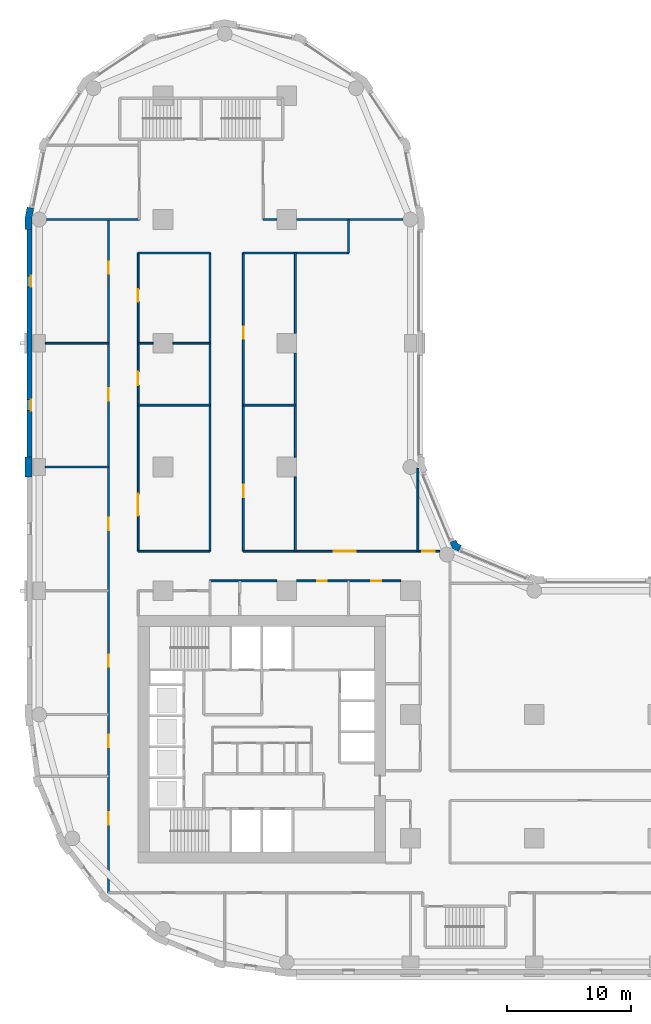
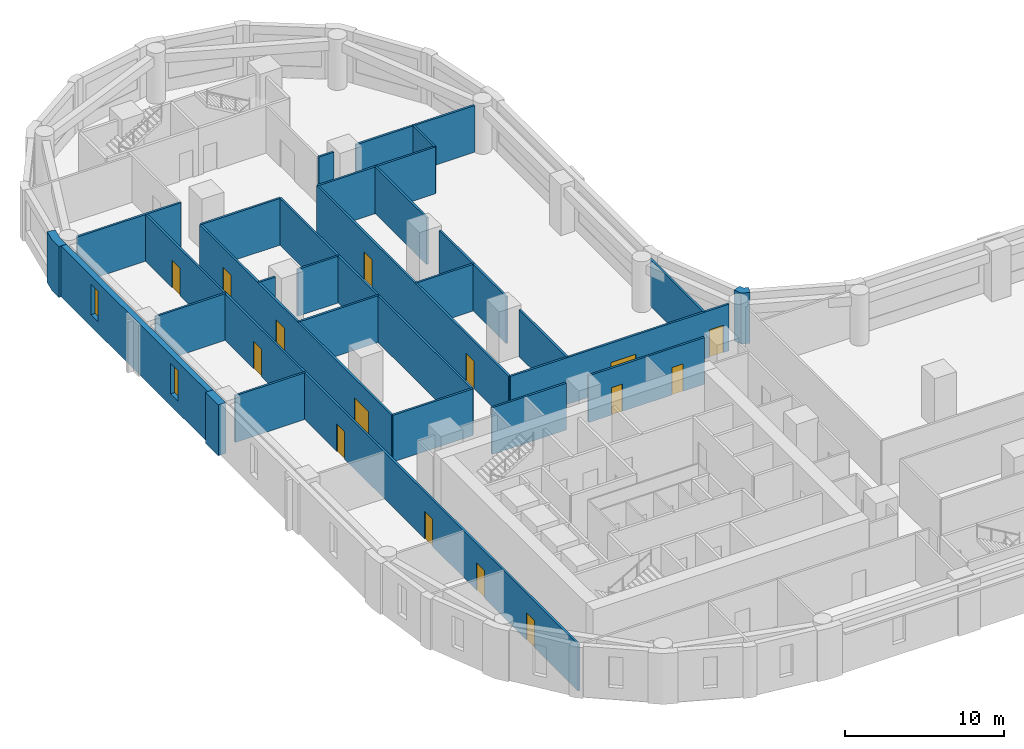
# One storey, part 5 of 10: 28 walls, 15 doors, 2 windows, 17 openings.
"""IFC4 building model written with IfcOpenShell, lengths in metres."""

from ifc_helpers import new_model, si_unit, direction, frame, frame_2d, origin, place, context, subcontext, project, spatial, polyline, rectangle, outline, extrude, material, layer, layer_set, type_object, element, fill, save


model = new_model("IFC4")

# Units and contexts
model_context = context("Model", 3, precision=1e-05, world=origin(), true_north=direction((0.0, 1.0)))
body_context = subcontext(model_context, "Body", "Model", "MODEL_VIEW")
ifc_project = project(units=[si_unit("LENGTHUNIT", "METRE"), si_unit("AREAUNIT", "SQUARE_METRE"), si_unit("VOLUMEUNIT", "CUBIC_METRE"), si_unit("PLANEANGLEUNIT", "RADIAN"), si_unit("MASSUNIT", "GRAM", prefix="KILO")], contexts=[model_context])

# Site, building, storey
site_placement = place(None, origin())
site = spatial("IfcSite", under=ifc_project, at=site_placement, CompositionType="ELEMENT")
building_placement = place(site_placement, origin())
building = spatial("IfcBuilding", under=site, at=building_placement, Name="Qaws Garden Tower", CompositionType="ELEMENT")
storey_placement = place(building_placement, frame((0.0, 0.0, 93.89990234375)))
storey = spatial("IfcBuildingStorey", under=building, at=storey_placement, Name="L23", CompositionType="ELEMENT", Elevation=93.89990234375)

# Wall, openings, windows
ifc_material_1 = material(Name="Clay facing brick masonry", Category="masonry")
ifc_layer_1 = layer(ifc_material_1, 0.39990234375)
ifc_layer_set_1 = layer_set([ifc_layer_1], Name="Clay facing brick masonry")
wall_type_1 = type_object("IfcWallType", Name="Brick infill wall 400", PredefinedType="SOLIDWALL", material=ifc_layer_set_1)
wall_1_placement = place(storey_placement, frame((-0.800048828125, 59.199951171875, 0.0), z_axis=(0.0, 0.0, 1.0), x_axis=(0.0, -1.0, 0.0)))
wall_1 = element("IfcWall", 1, at=wall_1_placement, inside=storey, type_object=wall_type_1, Name="E-L23-infill-23", PredefinedType="SOLIDWALL", context=body_context, shape_type="SweptSolid", body=[
    extrude(rectangle(XDim=18.39990234375, YDim=0.39990234375, at=frame_2d((9.199951171875, 0.0))), origin(), (0.0, 0.0, 1.0), 3.900146484375),
])
opening_1_placement = place(wall_1_placement, frame((3.75, 0.0, 0.89990234375)))
opening_1 = element("IfcOpeningElement", 2, at=opening_1_placement, cuts=wall_1, Name="Opening W09", PredefinedType="OPENING", context=body_context, shape_type="SweptSolid", body=[
    extrude(rectangle(XDim=0.89990234375, YDim=2.35009765625, at=frame_2d((0.449951171875, 1.175048828125))), frame((0.0, 0.2099609375, 0.0), z_axis=(0.0, -1.0, 0.0), x_axis=(1.0, 0.0, 0.0)), (0.0, 0.0, 1.0), 0.419921875),
])
opening_2_placement = place(wall_1_placement, frame((13.75, 0.0, 0.89990234375)))
opening_2 = element("IfcOpeningElement", 3, at=opening_2_placement, cuts=wall_1, Name="Opening W09", PredefinedType="OPENING", context=body_context, shape_type="SweptSolid", body=[
    extrude(rectangle(XDim=0.89990234375, YDim=2.35009765625, at=frame_2d((0.449951171875, 1.175048828125))), frame((0.0, 0.2099609375, 0.0), z_axis=(0.0, -1.0, 0.0), x_axis=(1.0, 0.0, 0.0)), (0.0, 0.0, 1.0), 0.419921875),
])
ifc_material_2 = material(Name="Aluminium framed window, clear glazing", Category="aluminium")
window_type = type_object("IfcWindowType", Name="Slit window 900 x 2350", PartitioningType="SINGLE_PANEL", PredefinedType="WINDOW", material=ifc_material_2)
window_1_placement = place(opening_1_placement, origin())
window_1 = element("IfcWindow", 4, at=window_1_placement, inside=storey, type_object=window_type, Name="E-L23-window-23-0", OverallHeight=2.35009765625, OverallWidth=0.89990234375, PartitioningType="SINGLE_PANEL", PredefinedType="WINDOW", context=body_context, shape_type="SweptSolid", body=[
    extrude(rectangle(XDim=0.89990234375, YDim=2.35009765625, at=frame_2d((0.449951171875, 1.175048828125))), frame((0.0, 0.159912109375, 0.0), z_axis=(0.0, -1.0, 0.0), x_axis=(1.0, 0.0, 0.0)), (0.0, 0.0, 1.0), 0.06005859375),
])
fill(opening_1, window_1)
window_2_placement = place(opening_2_placement, origin())
window_2 = element("IfcWindow", 5, at=window_2_placement, inside=storey, type_object=window_type, Name="E-L23-window-24-0", OverallHeight=2.35009765625, OverallWidth=0.89990234375, PartitioningType="SINGLE_PANEL", PredefinedType="WINDOW", context=body_context, shape_type="SweptSolid", body=[
    extrude(rectangle(XDim=0.89990234375, YDim=2.35009765625, at=frame_2d((0.449951171875, 1.175048828125))), frame((0.0, 0.159912109375, 0.0), z_axis=(0.0, -1.0, 0.0), x_axis=(1.0, 0.0, 0.0)), (0.0, 0.0, 1.0), 0.06005859375),
])
fill(opening_2, window_2)

# Walls
ifc_material_3 = material(Name="Clay facing brick masonry", Category="masonry")
ifc_layer_2 = layer(ifc_material_3, 0.550048828125)
ifc_layer_set_2 = layer_set([ifc_layer_2], Name="Clay facing brick masonry")
wall_type_2 = type_object("IfcWallType", Name="Brick pier 550 x 1600", PredefinedType="SOLIDWALL", material=ifc_layer_set_2)
placement = place(storey_placement, origin())
element("IfcWall", 6, at=placement, inside=storey, type_object=wall_type_2, Name="E-L23-pier-12", PredefinedType="SOLIDWALL", context=body_context, shape_type="SweptSolid", body=[
    extrude(outline(polyline([(34.05078125, 33.546630859375), (34.108154296875, 33.685302734375), (33.80908203125, 33.80908203125), (33.685302734375, 34.108154296875), (33.546630859375, 34.05078125), (33.177001953125, 33.897705078125), (33.38818359375, 33.38818359375), (33.897705078125, 33.177001953125), (34.05078125, 33.546630859375)])), origin(), (0.0, 0.0, 1.0), 3.900146484375),
])
element("IfcWall", 7, at=placement, inside=storey, type_object=wall_type_2, Name="E-L23-pier-23", PredefinedType="SOLIDWALL", context=body_context, shape_type="SweptSolid", body=[
    extrude(outline(polyline([(-0.82470703125, 60.979736328125), (-0.971923828125, 61.009033203125), (-1.14990234375, 60.11328125), (-1.14990234375, 59.199951171875), (-1.0, 59.199951171875), (-0.60009765625, 59.199951171875), (-0.60009765625, 60.05908203125), (-0.432373046875, 60.901611328125), (-0.82470703125, 60.979736328125)])), origin(), (0.0, 0.0, 1.0), 3.900146484375),
])
element("IfcWall", 8, at=placement, inside=storey, type_object=wall_type_2, Name="E-L23-pier-25", PredefinedType="SOLIDWALL", context=body_context, shape_type="SweptSolid", body=[
    extrude(outline(polyline([(-1.0, 40.800048828125), (-1.14990234375, 40.800048828125), (-1.14990234375, 40.0), (-1.14990234375, 39.199951171875), (-1.0, 39.199951171875), (-0.60009765625, 39.199951171875), (-0.60009765625, 40.0), (-0.60009765625, 40.800048828125), (-1.0, 40.800048828125)])), origin(), (0.0, 0.0, 1.0), 3.900146484375),
])

# Wall, openings, doors
ifc_material_4 = material(Name="Gypsum board partition")
ifc_layer_3 = layer(ifc_material_4, 0.14990234375)
ifc_layer_set_3 = layer_set([ifc_layer_3], Name="Gypsum board partition")
wall_type_3 = type_object("IfcWallType", Name="PARTITION 150 EI 60", PredefinedType="PARTITIONING", material=ifc_layer_set_3)
wall_5_placement = place(storey_placement, frame((5.60009765625, 5.60009765625, 0.0), z_axis=(0.0, 0.0, 1.0), x_axis=(0.0, 1.0, 0.0)))
wall_5 = element("IfcWall", 9, at=wall_5_placement, inside=storey, type_object=wall_type_3, Name="O-L23-wall-001", PredefinedType="PARTITIONING", context=body_context, shape_type="SweptSolid", body=[
    extrude(rectangle(XDim=54.39990234375, YDim=0.14990234375, at=frame_2d((27.199951171875, 0.0))), origin(), (0.0, 0.0, 1.0), 3.580078125),
])
opening_3_placement = place(wall_5_placement, frame((5.5, 0.0, 0.0)))
opening_3 = element("IfcOpeningElement", 10, at=opening_3_placement, cuts=wall_5, Name="Opening A801", PredefinedType="OPENING", context=body_context, shape_type="SweptSolid", body=[
    extrude(rectangle(XDim=1.0, YDim=2.10009765625, at=frame_2d((0.5, 1.050048828125))), frame((0.0, 0.0849609375, 0.0), z_axis=(0.0, -1.0, 0.0), x_axis=(1.0, 0.0, 0.0)), (0.0, 0.0, 1.0), 0.169921875),
])
opening_4_placement = place(wall_5_placement, frame((11.75, 0.0, 0.0)))
opening_4 = element("IfcOpeningElement", 11, at=opening_4_placement, cuts=wall_5, Name="Opening A802", PredefinedType="OPENING", context=body_context, shape_type="SweptSolid", body=[
    extrude(rectangle(XDim=1.0, YDim=2.10009765625, at=frame_2d((0.5, 1.050048828125))), frame((0.0, 0.0849609375, 0.0), z_axis=(0.0, -1.0, 0.0), x_axis=(1.0, 0.0, 0.0)), (0.0, 0.0, 1.0), 0.169921875),
])
opening_5_placement = place(wall_5_placement, frame((18.25, 0.0, 0.0)))
opening_5 = element("IfcOpeningElement", 12, at=opening_5_placement, cuts=wall_5, Name="Opening A813", PredefinedType="OPENING", context=body_context, shape_type="SweptSolid", body=[
    extrude(rectangle(XDim=1.0, YDim=2.10009765625, at=frame_2d((0.5, 1.050048828125))), frame((0.0, 0.0849609375, 0.0), z_axis=(0.0, -1.0, 0.0), x_axis=(1.0, 0.0, 0.0)), (0.0, 0.0, 1.0), 0.169921875),
])
opening_6_placement = place(wall_5_placement, frame((29.300048828125, 0.0, 0.0)))
opening_6 = element("IfcOpeningElement", 13, at=opening_6_placement, cuts=wall_5, Name="Opening A823", PredefinedType="OPENING", context=body_context, shape_type="SweptSolid", body=[
    extrude(rectangle(XDim=1.0, YDim=2.10009765625, at=frame_2d((0.5, 1.050048828125))), frame((0.0, 0.0849609375, 0.0), z_axis=(0.0, -1.0, 0.0), x_axis=(1.0, 0.0, 0.0)), (0.0, 0.0, 1.0), 0.169921875),
])
opening_7_placement = place(wall_5_placement, frame((39.75, 0.0, 0.0)))
opening_7 = element("IfcOpeningElement", 14, at=opening_7_placement, cuts=wall_5, Name="Opening A824", PredefinedType="OPENING", context=body_context, shape_type="SweptSolid", body=[
    extrude(rectangle(XDim=1.0, YDim=2.10009765625, at=frame_2d((0.5, 1.050048828125))), frame((0.0, 0.0849609375, 0.0), z_axis=(0.0, -1.0, 0.0), x_axis=(1.0, 0.0, 0.0)), (0.0, 0.0, 1.0), 0.169921875),
])
opening_8_placement = place(wall_5_placement, frame((50.0, 0.0, 0.0)))
opening_8 = element("IfcOpeningElement", 15, at=opening_8_placement, cuts=wall_5, Name="Opening A825", PredefinedType="OPENING", context=body_context, shape_type="SweptSolid", body=[
    extrude(rectangle(XDim=1.0, YDim=2.10009765625, at=frame_2d((0.5, 1.050048828125))), frame((0.0, 0.0849609375, 0.0), z_axis=(0.0, -1.0, 0.0), x_axis=(1.0, 0.0, 0.0)), (0.0, 0.0, 1.0), 0.169921875),
])
ifc_material_5 = material(Name="Timber door leaf", Category="wood")
door_type_1 = type_object("IfcDoorType", Name="TENANCY ENTRANCE DOOR 1000 X 2100", OperationType="SINGLE_SWING_LEFT", PredefinedType="DOOR", material=ifc_material_5)
door_1_placement = place(opening_3_placement, origin())
door_1 = element("IfcDoor", 16, at=door_1_placement, inside=storey, type_object=door_type_1, Name="O-L23-door-001", OperationType="SINGLE_SWING_RIGHT", OverallHeight=2.10009765625, OverallWidth=1.0, PredefinedType="DOOR", context=body_context, shape_type="SweptSolid", body=[
    extrude(rectangle(XDim=1.0, YDim=2.10009765625, at=frame_2d((0.5, 1.050048828125))), frame((0.0, 0.02490234375, 0.0), z_axis=(0.0, -1.0, 0.0), x_axis=(1.0, 0.0, 0.0)), (0.0, 0.0, 1.0), 0.050048828125),
])
fill(opening_3, door_1)
door_2_placement = place(opening_4_placement, origin())
door_2 = element("IfcDoor", 17, at=door_2_placement, inside=storey, type_object=door_type_1, Name="O-L23-door-002", OperationType="SINGLE_SWING_RIGHT", OverallHeight=2.10009765625, OverallWidth=1.0, PredefinedType="DOOR", context=body_context, shape_type="SweptSolid", body=[
    extrude(rectangle(XDim=1.0, YDim=2.10009765625, at=frame_2d((0.5, 1.050048828125))), frame((0.0, 0.02490234375, 0.0), z_axis=(0.0, -1.0, 0.0), x_axis=(1.0, 0.0, 0.0)), (0.0, 0.0, 1.0), 0.050048828125),
])
fill(opening_4, door_2)
door_3_placement = place(opening_5_placement, origin())
door_3 = element("IfcDoor", 18, at=door_3_placement, inside=storey, type_object=door_type_1, Name="O-L23-door-013", OperationType="SINGLE_SWING_RIGHT", OverallHeight=2.10009765625, OverallWidth=1.0, PredefinedType="DOOR", context=body_context, shape_type="SweptSolid", body=[
    extrude(rectangle(XDim=1.0, YDim=2.10009765625, at=frame_2d((0.5, 1.050048828125))), frame((0.0, 0.02490234375, 0.0), z_axis=(0.0, -1.0, 0.0), x_axis=(1.0, 0.0, 0.0)), (0.0, 0.0, 1.0), 0.050048828125),
])
fill(opening_5, door_3)
door_4_placement = place(opening_6_placement, origin())
door_4 = element("IfcDoor", 19, at=door_4_placement, inside=storey, type_object=door_type_1, Name="O-L23-door-023", OperationType="SINGLE_SWING_LEFT", OverallHeight=2.10009765625, OverallWidth=1.0, PredefinedType="DOOR", context=body_context, shape_type="SweptSolid", body=[
    extrude(rectangle(XDim=1.0, YDim=2.10009765625, at=frame_2d((0.5, 1.050048828125))), frame((0.0, 0.02490234375, 0.0), z_axis=(0.0, -1.0, 0.0), x_axis=(1.0, 0.0, 0.0)), (0.0, 0.0, 1.0), 0.050048828125),
])
fill(opening_6, door_4)
door_5_placement = place(opening_7_placement, origin())
door_5 = element("IfcDoor", 20, at=door_5_placement, inside=storey, type_object=door_type_1, Name="O-L23-door-024", OperationType="SINGLE_SWING_LEFT", OverallHeight=2.10009765625, OverallWidth=1.0, PredefinedType="DOOR", context=body_context, shape_type="SweptSolid", body=[
    extrude(rectangle(XDim=1.0, YDim=2.10009765625, at=frame_2d((0.5, 1.050048828125))), frame((0.0, 0.02490234375, 0.0), z_axis=(0.0, -1.0, 0.0), x_axis=(1.0, 0.0, 0.0)), (0.0, 0.0, 1.0), 0.050048828125),
])
fill(opening_7, door_5)
door_6_placement = place(opening_8_placement, origin())
door_6 = element("IfcDoor", 21, at=door_6_placement, inside=storey, type_object=door_type_1, Name="O-L23-door-025", OperationType="SINGLE_SWING_LEFT", OverallHeight=2.10009765625, OverallWidth=1.0, PredefinedType="DOOR", context=body_context, shape_type="SweptSolid", body=[
    extrude(rectangle(XDim=1.0, YDim=2.10009765625, at=frame_2d((0.5, 1.050048828125))), frame((0.0, 0.02490234375, 0.0), z_axis=(0.0, -1.0, 0.0), x_axis=(1.0, 0.0, 0.0)), (0.0, 0.0, 1.0), 0.050048828125),
])
fill(opening_8, door_6)

wall_6_placement = place(storey_placement, frame((8.0, 33.199951171875, 0.0), z_axis=(0.0, 0.0, 1.0), x_axis=(0.0, 1.0, 0.0)))
wall_6 = element("IfcWall", 22, at=wall_6_placement, inside=storey, type_object=wall_type_3, Name="O-L23-wall-003", PredefinedType="PARTITIONING", context=body_context, shape_type="SweptSolid", body=[
    extrude(rectangle(XDim=24.10009765625, YDim=0.14990234375, at=frame_2d((12.050048828125, 0.0))), origin(), (0.0, 0.0, 1.0), 3.580078125),
])
opening_9_placement = place(wall_6_placement, frame((2.85009765625, 0.0, 0.0)))
opening_9 = element("IfcOpeningElement", 23, at=opening_9_placement, cuts=wall_6, Name="Opening A814", PredefinedType="OPENING", context=body_context, shape_type="SweptSolid", body=[
    extrude(rectangle(XDim=1.800048828125, YDim=2.10009765625, at=frame_2d((0.89990234375, 1.050048828125))), frame((0.0, 0.0849609375, 0.0), z_axis=(0.0, -1.0, 0.0), x_axis=(1.0, 0.0, 0.0)), (0.0, 0.0, 1.0), 0.169921875),
])
opening_10_placement = place(wall_6_placement, frame((13.39990234375, 0.0, 0.0)))
opening_10 = element("IfcOpeningElement", 24, at=opening_10_placement, cuts=wall_6, Name="Opening A815", PredefinedType="OPENING", context=body_context, shape_type="SweptSolid", body=[
    extrude(rectangle(XDim=1.10009765625, YDim=2.10009765625, at=frame_2d((0.550048828125, 1.050048828125))), frame((0.0, 0.0849609375, 0.0), z_axis=(0.0, -1.0, 0.0), x_axis=(1.0, 0.0, 0.0)), (0.0, 0.0, 1.0), 0.169921875),
])
opening_11_placement = place(wall_6_placement, frame((20.14990234375, 0.0, 0.0)))
opening_11 = element("IfcOpeningElement", 25, at=opening_11_placement, cuts=wall_6, Name="Opening A816", PredefinedType="OPENING", context=body_context, shape_type="SweptSolid", body=[
    extrude(rectangle(XDim=1.0, YDim=2.10009765625, at=frame_2d((0.5, 1.050048828125))), frame((0.0, 0.0849609375, 0.0), z_axis=(0.0, -1.0, 0.0), x_axis=(1.0, 0.0, 0.0)), (0.0, 0.0, 1.0), 0.169921875),
])
ifc_material_6 = material(Name="Timber door leaf", Category="wood")
door_type_2 = type_object("IfcDoorType", Name="DOUBLE DOOR 1800 X 2100", OperationType="DOUBLE_DOOR_SINGLE_SWING", PredefinedType="DOOR", material=ifc_material_6)
door_7_placement = place(opening_9_placement, frame((1.800048828125, 0.0, 0.0), z_axis=(0.0, 0.0, 1.0), x_axis=(-1.0, 0.0, 0.0)))
door_7 = element("IfcDoor", 26, at=door_7_placement, inside=storey, type_object=door_type_2, Name="O-L23-door-014", OperationType="DOUBLE_DOOR_SINGLE_SWING", OverallHeight=2.10009765625, OverallWidth=1.800048828125, PredefinedType="DOOR", context=body_context, shape_type="SweptSolid", body=[
    extrude(rectangle(XDim=1.800048828125, YDim=2.10009765625, at=frame_2d((0.89990234375, 1.050048828125))), frame((0.0, 0.02490234375, 0.0), z_axis=(0.0, -1.0, 0.0), x_axis=(1.0, 0.0, 0.0)), (0.0, 0.0, 1.0), 0.050048828125),
])
fill(opening_9, door_7)
ifc_material_7 = material(Name="Timber door leaf", Category="wood")
door_type_3 = type_object("IfcDoorType", Name="SERVICE ROOM DOOR 1100 X 2100", OperationType="SINGLE_SWING_LEFT", PredefinedType="DOOR", material=ifc_material_7)
door_8_placement = place(opening_10_placement, frame((1.10009765625, 0.0, 0.0), z_axis=(0.0, 0.0, 1.0), x_axis=(-1.0, 0.0, 0.0)))
door_8 = element("IfcDoor", 27, at=door_8_placement, inside=storey, type_object=door_type_3, Name="O-L23-door-015", OperationType="SINGLE_SWING_RIGHT", OverallHeight=2.10009765625, OverallWidth=1.10009765625, PredefinedType="DOOR", context=body_context, shape_type="SweptSolid", body=[
    extrude(rectangle(XDim=1.10009765625, YDim=2.10009765625, at=frame_2d((0.550048828125, 1.050048828125))), frame((0.0, 0.02490234375, 0.0), z_axis=(0.0, -1.0, 0.0), x_axis=(1.0, 0.0, 0.0)), (0.0, 0.0, 1.0), 0.050048828125),
])
fill(opening_10, door_8)
door_9_placement = place(opening_11_placement, frame((1.0, 0.0, 0.0), z_axis=(0.0, 0.0, 1.0), x_axis=(-1.0, 0.0, 0.0)))
door_9 = element("IfcDoor", 28, at=door_9_placement, inside=storey, type_object=door_type_1, Name="O-L23-door-016", OperationType="SINGLE_SWING_RIGHT", OverallHeight=2.10009765625, OverallWidth=1.0, PredefinedType="DOOR", context=body_context, shape_type="SweptSolid", body=[
    extrude(rectangle(XDim=1.0, YDim=2.10009765625, at=frame_2d((0.5, 1.050048828125))), frame((0.0, 0.02490234375, 0.0), z_axis=(0.0, -1.0, 0.0), x_axis=(1.0, 0.0, 0.0)), (0.0, 0.0, 1.0), 0.050048828125),
])
fill(opening_11, door_9)

# Wall
wall_7_placement = place(storey_placement, frame((13.800048828125, 33.199951171875, 0.0), z_axis=(0.0, 0.0, 1.0), x_axis=(0.0, 1.0, 0.0)))
element("IfcWall", 29, at=wall_7_placement, inside=storey, type_object=wall_type_3, Name="O-L23-wall-006", PredefinedType="PARTITIONING", context=body_context, shape_type="SweptSolid", body=[
    extrude(rectangle(XDim=24.10009765625, YDim=0.14990234375, at=frame_2d((12.050048828125, 0.0))), origin(), (0.0, 0.0, 1.0), 3.580078125),
])

# Wall, openings, doors
wall_8_placement = place(storey_placement, frame((16.5, 33.199951171875, 0.0), z_axis=(0.0, 0.0, 1.0), x_axis=(0.0, 1.0, 0.0)))
wall_8 = element("IfcWall", 30, at=wall_8_placement, inside=storey, type_object=wall_type_3, Name="O-L23-wall-008", PredefinedType="PARTITIONING", context=body_context, shape_type="SweptSolid", body=[
    extrude(rectangle(XDim=24.10009765625, YDim=0.14990234375, at=frame_2d((12.050048828125, 0.0))), origin(), (0.0, 0.0, 1.0), 3.580078125),
])
opening_12_placement = place(wall_8_placement, frame((4.35009765625, 0.0, 0.0)))
opening_12 = element("IfcOpeningElement", 31, at=opening_12_placement, cuts=wall_8, Name="Opening A817", PredefinedType="OPENING", context=body_context, shape_type="SweptSolid", body=[
    extrude(rectangle(XDim=1.0, YDim=2.10009765625, at=frame_2d((0.5, 1.050048828125))), frame((0.0, 0.0849609375, 0.0), z_axis=(0.0, -1.0, 0.0), x_axis=(1.0, 0.0, 0.0)), (0.0, 0.0, 1.0), 0.169921875),
])
opening_13_placement = place(wall_8_placement, frame((17.14990234375, 0.0, 0.0)))
opening_13 = element("IfcOpeningElement", 32, at=opening_13_placement, cuts=wall_8, Name="Opening A818", PredefinedType="OPENING", context=body_context, shape_type="SweptSolid", body=[
    extrude(rectangle(XDim=1.0, YDim=2.10009765625, at=frame_2d((0.5, 1.050048828125))), frame((0.0, 0.0849609375, 0.0), z_axis=(0.0, -1.0, 0.0), x_axis=(1.0, 0.0, 0.0)), (0.0, 0.0, 1.0), 0.169921875),
])
door_10_placement = place(opening_12_placement, frame((1.0, 0.0, 0.0), z_axis=(0.0, 0.0, 1.0), x_axis=(-1.0, 0.0, 0.0)))
door_10 = element("IfcDoor", 33, at=door_10_placement, inside=storey, type_object=door_type_1, Name="O-L23-door-017", OperationType="SINGLE_SWING_RIGHT", OverallHeight=2.10009765625, OverallWidth=1.0, PredefinedType="DOOR", context=body_context, shape_type="SweptSolid", body=[
    extrude(rectangle(XDim=1.0, YDim=2.10009765625, at=frame_2d((0.5, 1.050048828125))), frame((0.0, 0.02490234375, 0.0), z_axis=(0.0, -1.0, 0.0), x_axis=(1.0, 0.0, 0.0)), (0.0, 0.0, 1.0), 0.050048828125),
])
fill(opening_12, door_10)
door_11_placement = place(opening_13_placement, frame((1.0, 0.0, 0.0), z_axis=(0.0, 0.0, 1.0), x_axis=(-1.0, 0.0, 0.0)))
door_11 = element("IfcDoor", 34, at=door_11_placement, inside=storey, type_object=door_type_1, Name="O-L23-door-018", OperationType="SINGLE_SWING_RIGHT", OverallHeight=2.10009765625, OverallWidth=1.0, PredefinedType="DOOR", context=body_context, shape_type="SweptSolid", body=[
    extrude(rectangle(XDim=1.0, YDim=2.10009765625, at=frame_2d((0.5, 1.050048828125))), frame((0.0, 0.02490234375, 0.0), z_axis=(0.0, -1.0, 0.0), x_axis=(1.0, 0.0, 0.0)), (0.0, 0.0, 1.0), 0.050048828125),
])
fill(opening_13, door_11)

# Walls
wall_9_placement = place(storey_placement, frame((20.699951171875, 33.199951171875, 0.0), z_axis=(0.0, 0.0, 1.0), x_axis=(0.0, 1.0, 0.0)))
element("IfcWall", 35, at=wall_9_placement, inside=storey, type_object=wall_type_3, Name="O-L23-wall-011", PredefinedType="PARTITIONING", context=body_context, shape_type="SweptSolid", body=[
    extrude(rectangle(XDim=6.0, YDim=0.14990234375, at=frame_2d((3.0, 0.0))), origin(), (0.0, 0.0, 1.0), 3.580078125),
])
wall_10_placement = place(storey_placement, frame((20.699951171875, 40.800048828125, 0.0), z_axis=(0.0, 0.0, 1.0), x_axis=(0.0, 1.0, 0.0)))
element("IfcWall", 36, at=wall_10_placement, inside=storey, type_object=wall_type_3, Name="O-L23-wall-012", PredefinedType="PARTITIONING", context=body_context, shape_type="SweptSolid", body=[
    extrude(rectangle(XDim=8.39990234375, YDim=0.14990234375, at=frame_2d((4.199951171875, 0.0))), origin(), (0.0, 0.0, 1.0), 3.580078125),
])
wall_11_placement = place(storey_placement, frame((20.699951171875, 50.800048828125, 0.0), z_axis=(0.0, 0.0, 1.0), x_axis=(0.0, 1.0, 0.0)))
element("IfcWall", 37, at=wall_11_placement, inside=storey, type_object=wall_type_3, Name="O-L23-wall-013", PredefinedType="PARTITIONING", context=body_context, shape_type="SweptSolid", body=[
    extrude(rectangle(XDim=6.5, YDim=0.14990234375, at=frame_2d((3.25, 0.0))), origin(), (0.0, 0.0, 1.0), 3.580078125),
])
wall_12_placement = place(storey_placement, frame((25.0, 57.300048828125, 0.0), z_axis=(0.0, 0.0, 1.0), x_axis=(0.0, 1.0, 0.0)))
element("IfcWall", 38, at=wall_12_placement, inside=storey, type_object=wall_type_3, Name="O-L23-wall-015", PredefinedType="PARTITIONING", context=body_context, shape_type="SweptSolid", body=[
    extrude(rectangle(XDim=2.699951171875, YDim=0.14990234375, at=frame_2d((1.35009765625, 0.0))), origin(), (0.0, 0.0, 1.0), 3.580078125),
])
wall_13_placement = place(storey_placement, frame((30.60009765625, 33.199951171875, 0.0), z_axis=(0.0, 0.0, 1.0), x_axis=(0.0, 1.0, 0.0)))
element("IfcWall", 39, at=wall_13_placement, inside=storey, type_object=wall_type_3, Name="O-L23-wall-019", PredefinedType="PARTITIONING", context=body_context, shape_type="SweptSolid", body=[
    extrude(rectangle(XDim=6.698974609375, YDim=0.14990234375, at=frame_2d((3.349609375, 0.0))), origin(), (0.0, 0.0, 1.0), 3.580078125),
])
wall_14_placement = place(storey_placement, frame((13.800048828125, 30.800048828125, 0.0), z_axis=(0.0, 0.0, 1.0), x_axis=(1.0, 0.0, 0.0)))
element("IfcWall", 40, at=wall_14_placement, inside=storey, type_object=wall_type_3, Name="O-L23-wall-047", PredefinedType="PARTITIONING", context=body_context, shape_type="SweptSolid", body=[
    extrude(rectangle(XDim=5.39990234375, YDim=0.14990234375, at=frame_2d((2.699951171875, 0.0))), origin(), (0.0, 0.0, 1.0), 3.580078125),
])

# Wall, openings, doors
wall_15_placement = place(storey_placement, frame((20.800048828125, 30.800048828125, 0.0), z_axis=(0.0, 0.0, 1.0), x_axis=(1.0, 0.0, 0.0)))
wall_15 = element("IfcWall", 41, at=wall_15_placement, inside=storey, type_object=wall_type_3, Name="O-L23-wall-048", PredefinedType="PARTITIONING", context=body_context, shape_type="SweptSolid", body=[
    extrude(rectangle(XDim=8.39990234375, YDim=0.14990234375, at=frame_2d((4.199951171875, 0.0))), origin(), (0.0, 0.0, 1.0), 3.580078125),
])
opening_14_placement = place(wall_15_placement, frame((1.64990234375, 0.0, 0.0)))
opening_14 = element("IfcOpeningElement", 42, at=opening_14_placement, cuts=wall_15, Name="Opening A811", PredefinedType="OPENING", context=body_context, shape_type="SweptSolid", body=[
    extrude(rectangle(XDim=0.800048828125, YDim=2.10009765625, at=frame_2d((0.39990234375, 1.050048828125))), frame((0.0, 0.0849609375, 0.0), z_axis=(0.0, -1.0, 0.0), x_axis=(1.0, 0.0, 0.0)), (0.0, 0.0, 1.0), 0.169921875),
])
opening_15_placement = place(wall_15_placement, frame((6.050048828125, 0.0, 0.0)))
opening_15 = element("IfcOpeningElement", 43, at=opening_15_placement, cuts=wall_15, Name="Opening A812", PredefinedType="OPENING", context=body_context, shape_type="SweptSolid", body=[
    extrude(rectangle(XDim=0.800048828125, YDim=2.10009765625, at=frame_2d((0.39990234375, 1.050048828125))), frame((0.0, 0.0849609375, 0.0), z_axis=(0.0, -1.0, 0.0), x_axis=(1.0, 0.0, 0.0)), (0.0, 0.0, 1.0), 0.169921875),
])
ifc_material_8 = material(Name="Timber door leaf", Category="wood")
door_type_4 = type_object("IfcDoorType", Name="STORE DOOR 800 X 2100", OperationType="SINGLE_SWING_LEFT", PredefinedType="DOOR", material=ifc_material_8)
door_12_placement = place(opening_14_placement, frame((0.800048828125, 0.0, 0.0), z_axis=(0.0, 0.0, 1.0), x_axis=(-1.0, 0.0, 0.0)))
door_12 = element("IfcDoor", 44, at=door_12_placement, inside=storey, type_object=door_type_4, Name="O-L23-door-011", OperationType="SINGLE_SWING_LEFT", OverallHeight=2.10009765625, OverallWidth=0.800048828125, PredefinedType="DOOR", context=body_context, shape_type="SweptSolid", body=[
    extrude(rectangle(XDim=0.800048828125, YDim=2.10009765625, at=frame_2d((0.39990234375, 1.050048828125))), frame((0.0, 0.02490234375, 0.0), z_axis=(0.0, -1.0, 0.0), x_axis=(1.0, 0.0, 0.0)), (0.0, 0.0, 1.0), 0.050048828125),
])
fill(opening_14, door_12)
door_13_placement = place(opening_15_placement, frame((0.800048828125, 0.0, 0.0), z_axis=(0.0, 0.0, 1.0), x_axis=(-1.0, 0.0, 0.0)))
door_13 = element("IfcDoor", 45, at=door_13_placement, inside=storey, type_object=door_type_4, Name="O-L23-door-012", OperationType="SINGLE_SWING_LEFT", OverallHeight=2.10009765625, OverallWidth=0.800048828125, PredefinedType="DOOR", context=body_context, shape_type="SweptSolid", body=[
    extrude(rectangle(XDim=0.800048828125, YDim=2.10009765625, at=frame_2d((0.39990234375, 1.050048828125))), frame((0.0, 0.02490234375, 0.0), z_axis=(0.0, -1.0, 0.0), x_axis=(1.0, 0.0, 0.0)), (0.0, 0.0, 1.0), 0.050048828125),
])
fill(opening_15, door_13)

# Wall
wall_16_placement = place(storey_placement, frame((8.0, 33.199951171875, 0.0), z_axis=(0.0, 0.0, 1.0), x_axis=(1.0, 0.0, 0.0)))
element("IfcWall", 46, at=wall_16_placement, inside=storey, type_object=wall_type_3, Name="O-L23-wall-049", PredefinedType="PARTITIONING", context=body_context, shape_type="SweptSolid", body=[
    extrude(rectangle(XDim=5.800048828125, YDim=0.14990234375, at=frame_2d((2.89990234375, 0.0))), origin(), (0.0, 0.0, 1.0), 3.580078125),
])

# Wall, openings, doors
wall_17_placement = place(storey_placement, frame((16.5, 33.199951171875, 0.0), z_axis=(0.0, 0.0, 1.0), x_axis=(1.0, 0.0, 0.0)))
wall_17 = element("IfcWall", 47, at=wall_17_placement, inside=storey, type_object=wall_type_3, Name="O-L23-wall-050", PredefinedType="PARTITIONING", context=body_context, shape_type="SweptSolid", body=[
    extrude(rectangle(XDim=15.862060546875, YDim=0.14990234375, at=frame_2d((7.93115234375, 0.0))), origin(), (0.0, 0.0, 1.0), 3.580078125),
])
opening_16_placement = place(wall_17_placement, frame((7.300048828125, 0.0, 0.0)))
opening_16 = element("IfcOpeningElement", 48, at=opening_16_placement, cuts=wall_17, Name="Opening A819", PredefinedType="OPENING", context=body_context, shape_type="SweptSolid", body=[
    extrude(rectangle(XDim=1.800048828125, YDim=2.10009765625, at=frame_2d((0.89990234375, 1.050048828125))), frame((0.0, 0.0849609375, 0.0), z_axis=(0.0, -1.0, 0.0), x_axis=(1.0, 0.0, 0.0)), (0.0, 0.0, 1.0), 0.169921875),
])
opening_17_placement = place(wall_17_placement, frame((14.449951171875, 0.0, 0.0)))
opening_17 = element("IfcOpeningElement", 49, at=opening_17_placement, cuts=wall_17, Name="Opening A822", PredefinedType="OPENING", context=body_context, shape_type="SweptSolid", body=[
    extrude(rectangle(XDim=1.0, YDim=2.10009765625, at=frame_2d((0.5, 1.050048828125))), frame((0.0, 0.0849609375, 0.0), z_axis=(0.0, -1.0, 0.0), x_axis=(1.0, 0.0, 0.0)), (0.0, 0.0, 1.0), 0.169921875),
])
door_14_placement = place(opening_16_placement, origin())
door_14 = element("IfcDoor", 50, at=door_14_placement, inside=storey, type_object=door_type_2, Name="O-L23-door-019", OperationType="DOUBLE_DOOR_SINGLE_SWING", OverallHeight=2.10009765625, OverallWidth=1.800048828125, PredefinedType="DOOR", context=body_context, shape_type="SweptSolid", body=[
    extrude(rectangle(XDim=1.800048828125, YDim=2.10009765625, at=frame_2d((0.89990234375, 1.050048828125))), frame((0.0, 0.02490234375, 0.0), z_axis=(0.0, -1.0, 0.0), x_axis=(1.0, 0.0, 0.0)), (0.0, 0.0, 1.0), 0.050048828125),
])
fill(opening_16, door_14)
door_15_placement = place(opening_17_placement, origin())
door_15 = element("IfcDoor", 51, at=door_15_placement, inside=storey, type_object=door_type_1, Name="O-L23-door-022", OperationType="SINGLE_SWING_LEFT", OverallHeight=2.10009765625, OverallWidth=1.0, PredefinedType="DOOR", context=body_context, shape_type="SweptSolid", body=[
    extrude(rectangle(XDim=1.0, YDim=2.10009765625, at=frame_2d((0.5, 1.050048828125))), frame((0.0, 0.02490234375, 0.0), z_axis=(0.0, -1.0, 0.0), x_axis=(1.0, 0.0, 0.0)), (0.0, 0.0, 1.0), 0.050048828125),
])
fill(opening_17, door_15)

# Walls
wall_18_placement = place(storey_placement, frame((0.5, 40.0, 0.0), z_axis=(0.0, 0.0, 1.0), x_axis=(1.0, 0.0, 0.0)))
element("IfcWall", 52, at=wall_18_placement, inside=storey, type_object=wall_type_3, Name="O-L23-wall-051", PredefinedType="PARTITIONING", context=body_context, shape_type="SweptSolid", body=[
    extrude(rectangle(XDim=5.10009765625, YDim=0.14990234375, at=frame_2d((2.550048828125, 0.0))), origin(), (0.0, 0.0, 1.0), 3.580078125),
])
wall_19_placement = place(storey_placement, frame((8.0, 45.0, 0.0), z_axis=(0.0, 0.0, 1.0), x_axis=(1.0, 0.0, 0.0)))
element("IfcWall", 53, at=wall_19_placement, inside=storey, type_object=wall_type_3, Name="O-L23-wall-052", PredefinedType="PARTITIONING", context=body_context, shape_type="SweptSolid", body=[
    extrude(rectangle(XDim=5.800048828125, YDim=0.14990234375, at=frame_2d((2.89990234375, 0.0))), origin(), (0.0, 0.0, 1.0), 3.580078125),
])
wall_20_placement = place(storey_placement, frame((16.5, 45.0, 0.0), z_axis=(0.0, 0.0, 1.0), x_axis=(1.0, 0.0, 0.0)))
element("IfcWall", 54, at=wall_20_placement, inside=storey, type_object=wall_type_3, Name="O-L23-wall-053", PredefinedType="PARTITIONING", context=body_context, shape_type="SweptSolid", body=[
    extrude(rectangle(XDim=4.199951171875, YDim=0.14990234375, at=frame_2d((2.10009765625, 0.0))), origin(), (0.0, 0.0, 1.0), 3.580078125),
])
wall_21_placement = place(storey_placement, frame((0.5, 50.0, 0.0), z_axis=(0.0, 0.0, 1.0), x_axis=(1.0, 0.0, 0.0)))
element("IfcWall", 55, at=wall_21_placement, inside=storey, type_object=wall_type_3, Name="O-L23-wall-054", PredefinedType="PARTITIONING", context=body_context, shape_type="SweptSolid", body=[
    extrude(rectangle(XDim=5.10009765625, YDim=0.14990234375, at=frame_2d((2.550048828125, 0.0))), origin(), (0.0, 0.0, 1.0), 3.580078125),
])
wall_22_placement = place(storey_placement, frame((8.0, 50.0, 0.0), z_axis=(0.0, 0.0, 1.0), x_axis=(1.0, 0.0, 0.0)))
element("IfcWall", 56, at=wall_22_placement, inside=storey, type_object=wall_type_3, Name="O-L23-wall-055", PredefinedType="PARTITIONING", context=body_context, shape_type="SweptSolid", body=[
    extrude(rectangle(XDim=1.199951171875, YDim=0.14990234375, at=frame_2d((0.60009765625, 0.0))), origin(), (0.0, 0.0, 1.0), 3.580078125),
])
wall_23_placement = place(storey_placement, frame((10.800048828125, 50.0, 0.0), z_axis=(0.0, 0.0, 1.0), x_axis=(1.0, 0.0, 0.0)))
element("IfcWall", 57, at=wall_23_placement, inside=storey, type_object=wall_type_3, Name="O-L23-wall-056", PredefinedType="PARTITIONING", context=body_context, shape_type="SweptSolid", body=[
    extrude(rectangle(XDim=3.0, YDim=0.14990234375, at=frame_2d((1.5, 0.0))), origin(), (0.0, 0.0, 1.0), 3.580078125),
])
wall_24_placement = place(storey_placement, frame((8.0, 57.300048828125, 0.0), z_axis=(0.0, 0.0, 1.0), x_axis=(1.0, 0.0, 0.0)))
element("IfcWall", 58, at=wall_24_placement, inside=storey, type_object=wall_type_3, Name="O-L23-wall-057", PredefinedType="PARTITIONING", context=body_context, shape_type="SweptSolid", body=[
    extrude(rectangle(XDim=5.800048828125, YDim=0.14990234375, at=frame_2d((2.89990234375, 0.0))), origin(), (0.0, 0.0, 1.0), 3.580078125),
])
wall_25_placement = place(storey_placement, frame((16.5, 57.300048828125, 0.0), z_axis=(0.0, 0.0, 1.0), x_axis=(1.0, 0.0, 0.0)))
element("IfcWall", 59, at=wall_25_placement, inside=storey, type_object=wall_type_3, Name="O-L23-wall-058", PredefinedType="PARTITIONING", context=body_context, shape_type="SweptSolid", body=[
    extrude(rectangle(XDim=8.5, YDim=0.14990234375, at=frame_2d((4.25, 0.0))), origin(), (0.0, 0.0, 1.0), 3.580078125),
])
wall_26_placement = place(storey_placement, frame((0.60009765625, 60.0, 0.0), z_axis=(0.0, 0.0, 1.0), x_axis=(1.0, 0.0, 0.0)))
element("IfcWall", 60, at=wall_26_placement, inside=storey, type_object=wall_type_3, Name="O-L23-wall-059", PredefinedType="PARTITIONING", context=body_context, shape_type="SweptSolid", body=[
    extrude(rectangle(XDim=7.5, YDim=0.14990234375, at=frame_2d((3.75, 0.0))), origin(), (0.0, 0.0, 1.0), 3.580078125),
])
wall_27_placement = place(storey_placement, frame((18.10009765625, 60.0, 0.0), z_axis=(0.0, 0.0, 1.0), x_axis=(1.0, 0.0, 0.0)))
element("IfcWall", 61, at=wall_27_placement, inside=storey, type_object=wall_type_3, Name="O-L23-wall-060", PredefinedType="PARTITIONING", context=body_context, shape_type="SweptSolid", body=[
    extrude(rectangle(XDim=1.099853515625, YDim=0.14990234375, at=frame_2d((0.5498046875, 0.0))), origin(), (0.0, 0.0, 1.0), 3.580078125),
])
wall_28_placement = place(storey_placement, frame((20.800048828125, 60.0, 0.0), z_axis=(0.0, 0.0, 1.0), x_axis=(1.0, 0.0, 0.0)))
element("IfcWall", 62, at=wall_28_placement, inside=storey, type_object=wall_type_3, Name="O-L23-wall-061", PredefinedType="PARTITIONING", context=body_context, shape_type="SweptSolid", body=[
    extrude(rectangle(XDim=8.599853515625, YDim=0.14990234375, at=frame_2d((4.2998046875, 0.0))), origin(), (0.0, 0.0, 1.0), 3.580078125),
])

save(model, "model.ifc")
